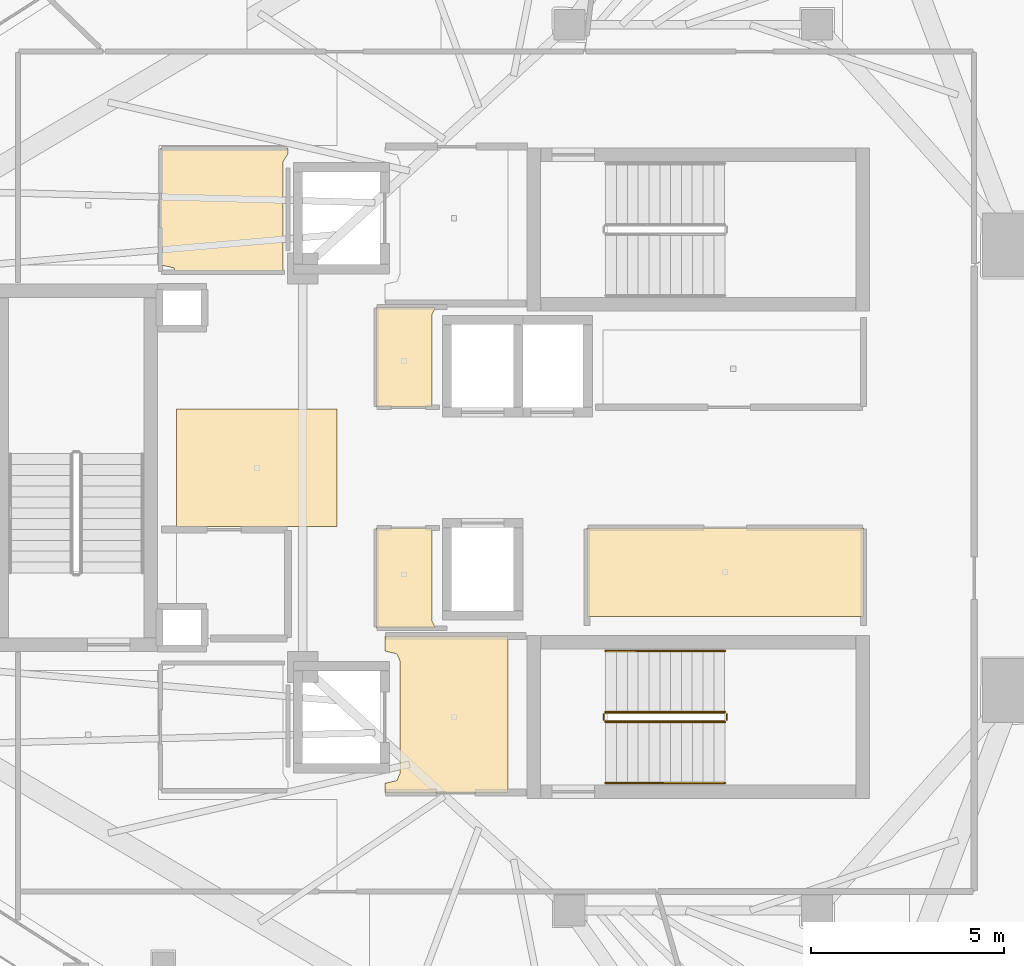
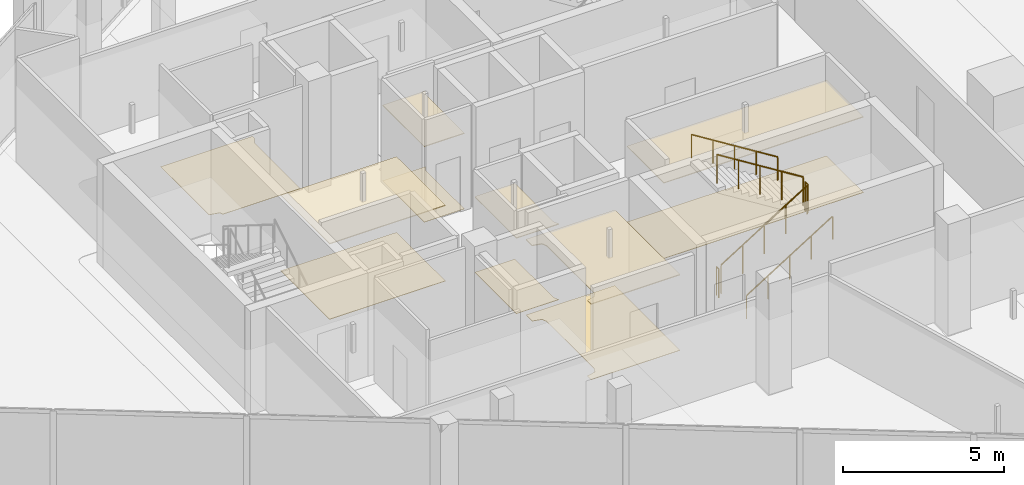
# One storey, part 28 of 31: 11 coverings, 6 railings.
"""IFC4 building model written with IfcOpenShell, lengths in metres."""

from ifc_helpers import new_model, si_unit, direction, frame, origin, origin_2d, place, context, subcontext, project, spatial, polyline, circle, outline, extrude, material, layer, layer_set, type_object, element, save


model = new_model("IFC4")

# Units and contexts
model_context = context("Model", 3, precision=1e-05, world=origin(), true_north=direction((0.0, 1.0)))
body_context = subcontext(model_context, "Body", "Model", "MODEL_VIEW")
ifc_project = project(units=[si_unit("LENGTHUNIT", "METRE"), si_unit("AREAUNIT", "SQUARE_METRE"), si_unit("VOLUMEUNIT", "CUBIC_METRE"), si_unit("PLANEANGLEUNIT", "RADIAN"), si_unit("MASSUNIT", "GRAM", prefix="KILO")], contexts=[model_context])

# Site, building, storey
site_placement = place(None, origin())
site = spatial("IfcSite", under=ifc_project, at=site_placement, CompositionType="ELEMENT")
building_placement = place(site_placement, origin())
building = spatial("IfcBuilding", under=site, at=building_placement, Name="Qorvath Tower", CompositionType="ELEMENT")
storey_placement = place(building_placement, frame((0.0, 0.0, 264.0)))
storey = spatial("IfcBuildingStorey", under=building, at=storey_placement, Name="L61", CompositionType="ELEMENT", Elevation=264.0)

# Coverings
ifc_material_1 = material(Name="Acoustic mineral fibre ceiling tile", Category="gypsum")
ifc_layer_1 = layer(ifc_material_1, 0.030029296875)
ifc_layer_set_1 = layer_set([ifc_layer_1], Name="COV-CEIL")
covering_type_1 = type_object("IfcCoveringType", Name="COV-CEIL", PredefinedType="CEILING", material=ifc_layer_set_1)
covering_1_placement = place(storey_placement, frame((0.0, 0.0, 2.85009765625)))
element("IfcCovering", 1, at=covering_1_placement, inside=storey, type_object=covering_type_1, Name="L61 Suspended Acoustic Ceiling 002", PredefinedType="CEILING", context=body_context, shape_type="SweptSolid", body=[
    extrude(outline(polyline([(-25.18994140625, -8.39501953125), (-25.18994140625, -4.35498046875), (-28.375, -4.35498046875), (-28.375, -4.739990234375), (-28.063232421875, -4.813232421875), (-27.989990234375, -4.989990234375), (-27.989990234375, -7.909912109375), (-28.063232421875, -8.086669921875), (-28.375, -8.159912109375), (-28.375, -8.39501953125), (-25.18994140625, -8.39501953125)])), origin(), (0.0, 0.0, 1.0), 0.030029296875),
])
covering_2_placement = place(storey_placement, frame((0.0, 0.0, 2.85009765625)))
element("IfcCovering", 2, at=covering_2_placement, inside=storey, type_object=covering_type_1, Name="L61 Suspended Acoustic Ceiling 004", PredefinedType="CEILING", context=body_context, shape_type="SweptSolid", body=[
    extrude(outline(polyline([(-23.14501953125, -3.85009765625), (-16.0048828125, -3.85009765625), (-16.0048828125, -1.56494140625), (-23.14501953125, -1.56494140625), (-23.14501953125, -3.85009765625)])), origin(), (0.0, 0.0, 1.0), 0.030029296875),
])
covering_3_placement = place(storey_placement, frame((0.0, 0.0, 2.85009765625)))
element("IfcCovering", 3, at=covering_3_placement, inside=storey, type_object=covering_type_1, Name="L61 Suspended Acoustic Ceiling 005", PredefinedType="CEILING", context=body_context, shape_type="SweptSolid", body=[
    extrude(outline(polyline([(-27.159912109375, 1.56494140625), (-27.159912109375, 3.9599609375), (-27.06689453125, 4.14501953125), (-28.594970703125, 4.14501953125), (-28.594970703125, 1.56494140625), (-27.159912109375, 1.56494140625)])), origin(), (0.0, 0.0, 1.0), 0.030029296875),
])
covering_4_placement = place(storey_placement, frame((0.0, 0.0, 2.85009765625)))
element("IfcCovering", 4, at=covering_4_placement, inside=storey, type_object=covering_type_1, Name="L61 Suspended Acoustic Ceiling 006", PredefinedType="CEILING", context=body_context, shape_type="SweptSolid", body=[
    extrude(outline(polyline([(-27.06689453125, -4.14501953125), (-27.159912109375, -3.9599609375), (-27.159912109375, -1.56494140625), (-28.594970703125, -1.56494140625), (-28.594970703125, -4.14501953125), (-27.06689453125, -4.14501953125)])), origin(), (0.0, 0.0, 1.0), 0.030029296875),
])
covering_5_placement = place(storey_placement, frame((0.0, 0.0, 2.85009765625)))
element("IfcCovering", 5, at=covering_5_placement, inside=storey, type_object=covering_type_1, Name="L61 Suspended Acoustic Ceiling 012", PredefinedType="CEILING", context=body_context, shape_type="SweptSolid", body=[
    extrude(outline(polyline([(-29.614990234375, -1.514892578125), (-29.614990234375, 1.514892578125), (-33.760009765625, 1.514892578125), (-33.760009765625, -1.514892578125), (-29.614990234375, -1.514892578125)])), origin(), (0.0, 0.0, 1.0), 0.030029296875),
])
ifc_material_2 = material(Name="Low-VOC modular carpet tile", Category="textile")
ifc_layer_2 = layer(ifc_material_2, 0.014892578125)
ifc_layer_set_2 = layer_set([ifc_layer_2], Name="COV-FLOOR-CPT")
covering_type_2 = type_object("IfcCoveringType", Name="COV-FLOOR-CPT", PredefinedType="FLOORING", material=ifc_layer_set_2)
covering_6_placement = place(storey_placement, origin())
element("IfcCovering", 6, at=covering_6_placement, inside=storey, type_object=covering_type_2, Name="L61 Floor Finish 004", PredefinedType="FLOORING", context=body_context, shape_type="SweptSolid", body=[
    extrude(outline(polyline([(-23.14501953125, -3.85009765625), (-16.0048828125, -3.85009765625), (-16.0048828125, -1.56494140625), (-23.14501953125, -1.56494140625), (-23.14501953125, -3.85009765625)])), origin(), (0.0, 0.0, 1.0), 0.014892578125),
])
covering_7_placement = place(storey_placement, origin())
element("IfcCovering", 7, at=covering_7_placement, inside=storey, type_object=covering_type_2, Name="L61 Floor Finish 005", PredefinedType="FLOORING", context=body_context, shape_type="SweptSolid", body=[
    extrude(outline(polyline([(-27.159912109375, 1.56494140625), (-27.159912109375, 3.9599609375), (-27.06689453125, 4.14501953125), (-28.594970703125, 4.14501953125), (-28.594970703125, 1.56494140625), (-27.159912109375, 1.56494140625)])), origin(), (0.0, 0.0, 1.0), 0.014892578125),
])
covering_8_placement = place(storey_placement, origin())
element("IfcCovering", 8, at=covering_8_placement, inside=storey, type_object=covering_type_2, Name="L61 Floor Finish 006", PredefinedType="FLOORING", context=body_context, shape_type="SweptSolid", body=[
    extrude(outline(polyline([(-27.06689453125, -4.14501953125), (-27.159912109375, -3.9599609375), (-27.159912109375, -1.56494140625), (-28.594970703125, -1.56494140625), (-28.594970703125, -4.14501953125), (-27.06689453125, -4.14501953125)])), origin(), (0.0, 0.0, 1.0), 0.014892578125),
])
ifc_material_3 = material(Name="Polished epoxy terrazzo flooring", Category="concrete")
ifc_layer_3 = layer(ifc_material_3, 0.02001953125)
ifc_layer_set_3 = layer_set([ifc_layer_3], Name="COV-FLOOR-TRZ")
covering_type_3 = type_object("IfcCoveringType", Name="COV-FLOOR-TRZ", PredefinedType="FLOORING", material=ifc_layer_set_3)
covering_9_placement = place(storey_placement, origin())
element("IfcCovering", 9, at=covering_9_placement, inside=storey, type_object=covering_type_3, Name="L61 Floor Finish 002", PredefinedType="FLOORING", context=body_context, shape_type="SweptSolid", body=[
    extrude(outline(polyline([(-25.18994140625, -8.39501953125), (-25.18994140625, -4.35498046875), (-28.375, -4.35498046875), (-28.375, -4.739990234375), (-28.063232421875, -4.813232421875), (-27.989990234375, -4.989990234375), (-27.989990234375, -7.909912109375), (-28.063232421875, -8.086669921875), (-28.375, -8.159912109375), (-28.375, -8.39501953125), (-25.18994140625, -8.39501953125)])), origin(), (0.0, 0.0, 1.0), 0.014892578125),
])
covering_10_placement = place(storey_placement, origin())
element("IfcCovering", 10, at=covering_10_placement, inside=storey, type_object=covering_type_3, Name="L61 Floor Finish 007", PredefinedType="FLOORING", context=body_context, shape_type="SweptSolid", body=[
    extrude(outline(polyline([(-31.010009765625, 5.054931640625), (-31.010009765625, 7.909912109375), (-30.885009765625, 8.108154296875), (-30.885009765625, 8.2451171875), (-34.175048828125, 8.2451171875), (-34.175048828125, 5.239990234375), (-33.833251953125, 5.166748046875), (-33.786865234375, 5.054931640625), (-31.010009765625, 5.054931640625)])), origin(), (0.0, 0.0, 1.0), 0.014892578125),
])
covering_11_placement = place(storey_placement, origin())
element("IfcCovering", 11, at=covering_11_placement, inside=storey, type_object=covering_type_3, Name="L61 Floor Finish 012", PredefinedType="FLOORING", context=body_context, shape_type="SweptSolid", body=[
    extrude(outline(polyline([(-29.614990234375, -1.514892578125), (-29.614990234375, 1.514892578125), (-33.760009765625, 1.514892578125), (-33.760009765625, -1.514892578125), (-29.614990234375, -1.514892578125)])), origin(), (0.0, 0.0, 1.0), 0.014892578125),
])

# Railings
ifc_material_4 = material(Name="Painted galvanised steel", Category="steel")
railing_type_1 = type_object("IfcRailingType", Name="RL-STR-GRD", PredefinedType="GUARDRAIL", material=ifc_material_4)
railing_1_placement = place(storey_placement, frame((-22.669921875, -6.570068359375, 0.175048828125)))
element("IfcRailing", 12, at=railing_1_placement, inside=storey, type_object=railing_type_1, Name="L61 TS2 stair guard 1", PredefinedType="GUARDRAIL", context=body_context, shape_type="SweptSolid", body=[
    extrude(circle(Radius=0.02392578125, at=origin_2d()), frame((0.0, 0.0, 1.076171875), z_axis=(0.847979421464, 0.0, 0.530029150871), x_axis=(0.0, 1.0, 0.0)), (0.0, 0.0, 1.0), 3.632080078125),
    extrude(circle(Radius=0.02099609375, at=origin_2d()), origin(), (0.0, 0.0, 1.0), 1.052001953125),
    extrude(circle(Radius=0.02099609375, at=origin_2d()), frame((0.77001953125, 0.0, 0.481201171875)), (0.0, 0.0, 1.0), 1.052001953125),
    extrude(circle(Radius=0.02099609375, at=origin_2d()), frame((1.5400390625, 0.0, 0.96240234375)), (0.0, 0.0, 1.0), 1.052001953125),
    extrude(circle(Radius=0.02099609375, at=origin_2d()), frame((2.309814453125, 0.0, 1.44384765625)), (0.0, 0.0, 1.0), 1.052001953125),
    extrude(circle(Radius=0.02099609375, at=origin_2d()), frame((3.079833984375, 0.0, 1.925048828125)), (0.0, 0.0, 1.0), 1.052001953125),
])
railing_2_placement = place(storey_placement, frame((-19.5400390625, -6.52001953125, 2.10009765625)))
element("IfcRailing", 13, at=railing_2_placement, inside=storey, type_object=railing_type_1, Name="L61 TS2 stair guard 2", PredefinedType="GUARDRAIL", context=body_context, shape_type="SweptSolid", body=[
    extrude(circle(Radius=0.02392578125, at=origin_2d()), frame((0.0, 0.0, 1.076171875), z_axis=(0.0, 1.0, 0.0), x_axis=(-1.0, 0.0, 0.0)), (0.0, 0.0, 1.0), 0.14990234375),
    extrude(circle(Radius=0.02099609375, at=origin_2d()), origin(), (0.0, 0.0, 1.0), 1.052001953125),
    extrude(circle(Radius=0.02099609375, at=origin_2d()), frame((0.0, 0.14990234375, 0.0)), (0.0, 0.0, 1.0), 1.052001953125),
])
railing_3_placement = place(storey_placement, frame((-19.590087890625, -6.320068359375, 2.27490234375)))
element("IfcRailing", 14, at=railing_3_placement, inside=storey, type_object=railing_type_1, Name="L61 TS2 stair guard 3", PredefinedType="GUARDRAIL", context=body_context, shape_type="SweptSolid", body=[
    extrude(circle(Radius=0.02392578125, at=origin_2d()), frame((0.0, 0.0, 1.076171875), z_axis=(-0.847979421464, 0.0, 0.530029150871), x_axis=(0.0, -1.0, 0.0)), (0.0, 0.0, 1.0), 3.632080078125),
    extrude(circle(Radius=0.02099609375, at=origin_2d()), origin(), (0.0, 0.0, 1.0), 1.052001953125),
    extrude(circle(Radius=0.02099609375, at=origin_2d()), frame((-0.77001953125, 0.0, 0.481201171875)), (0.0, 0.0, 1.0), 1.052001953125),
    extrude(circle(Radius=0.02099609375, at=origin_2d()), frame((-1.5400390625, 0.0, 0.96240234375)), (0.0, 0.0, 1.0), 1.052001953125),
    extrude(circle(Radius=0.02099609375, at=origin_2d()), frame((-2.309814453125, 0.0, 1.44384765625)), (0.0, 0.0, 1.0), 1.052001953125),
    extrude(circle(Radius=0.02099609375, at=origin_2d()), frame((-3.079833984375, 0.0, 1.925048828125)), (0.0, 0.0, 1.0), 1.052001953125),
])
railing_4_placement = place(storey_placement, frame((-22.719970703125, -6.52001953125, 0.0)))
element("IfcRailing", 15, at=railing_4_placement, inside=storey, type_object=railing_type_1, Name="L61 TS2 stair guard 4", PredefinedType="GUARDRAIL", context=body_context, shape_type="SweptSolid", body=[
    extrude(circle(Radius=0.02392578125, at=origin_2d()), frame((0.0, 0.0, 1.076171875), z_axis=(0.0, 1.0, 0.0), x_axis=(-1.0, 0.0, 0.0)), (0.0, 0.0, 1.0), 0.14990234375),
    extrude(circle(Radius=0.02099609375, at=origin_2d()), origin(), (0.0, 0.0, 1.0), 1.052001953125),
    extrude(circle(Radius=0.02099609375, at=origin_2d()), frame((0.0, 0.14990234375, 0.0)), (0.0, 0.0, 1.0), 1.052001953125),
])
ifc_material_5 = material(Name="Brushed stainless steel AISI 304", Category="steel")
railing_type_2 = type_object("IfcRailingType", Name="RL-STR-HND", PredefinedType="HANDRAIL", material=ifc_material_5)
railing_5_placement = place(storey_placement, frame((-22.669921875, -8.14990234375, 0.175048828125)))
element("IfcRailing", 16, at=railing_5_placement, inside=storey, type_object=railing_type_2, Name="L61 TS2 stair handrail 1", PredefinedType="HANDRAIL", context=body_context, shape_type="SweptSolid", body=[
    extrude(circle(Radius=0.02392578125, at=origin_2d()), frame((0.0, 0.0, 0.8759765625), z_axis=(0.847979421464, 0.0, 0.530029150871), x_axis=(0.0, 1.0, 0.0)), (0.0, 0.0, 1.0), 3.632080078125),
    extrude(circle(Radius=0.02099609375, at=origin_2d()), origin(), (0.0, 0.0, 1.0), 0.851806640625),
    extrude(circle(Radius=0.02099609375, at=origin_2d()), frame((0.77001953125, 0.0, 0.481201171875)), (0.0, 0.0, 1.0), 0.851806640625),
    extrude(circle(Radius=0.02099609375, at=origin_2d()), frame((1.5400390625, 0.0, 0.96240234375)), (0.0, 0.0, 1.0), 0.851806640625),
    extrude(circle(Radius=0.02099609375, at=origin_2d()), frame((2.309814453125, 0.0, 1.44384765625)), (0.0, 0.0, 1.0), 0.851806640625),
    extrude(circle(Radius=0.02099609375, at=origin_2d()), frame((3.079833984375, 0.0, 1.925048828125)), (0.0, 0.0, 1.0), 0.851806640625),
])
railing_6_placement = place(storey_placement, frame((-19.590087890625, -4.739990234375, 2.27490234375)))
element("IfcRailing", 17, at=railing_6_placement, inside=storey, type_object=railing_type_2, Name="L61 TS2 stair handrail 2", PredefinedType="HANDRAIL", context=body_context, shape_type="SweptSolid", body=[
    extrude(circle(Radius=0.02392578125, at=origin_2d()), frame((0.0, 0.0, 0.8759765625), z_axis=(-0.847979421464, 0.0, 0.530029150871), x_axis=(0.0, -1.0, 0.0)), (0.0, 0.0, 1.0), 3.632080078125),
    extrude(circle(Radius=0.02099609375, at=origin_2d()), origin(), (0.0, 0.0, 1.0), 0.851806640625),
    extrude(circle(Radius=0.02099609375, at=origin_2d()), frame((-0.77001953125, 0.0, 0.481201171875)), (0.0, 0.0, 1.0), 0.851806640625),
    extrude(circle(Radius=0.02099609375, at=origin_2d()), frame((-1.5400390625, 0.0, 0.96240234375)), (0.0, 0.0, 1.0), 0.851806640625),
    extrude(circle(Radius=0.02099609375, at=origin_2d()), frame((-2.309814453125, 0.0, 1.44384765625)), (0.0, 0.0, 1.0), 0.851806640625),
    extrude(circle(Radius=0.02099609375, at=origin_2d()), frame((-3.079833984375, 0.0, 1.925048828125)), (0.0, 0.0, 1.0), 0.851806640625),
])

save(model, "model.ifc")
